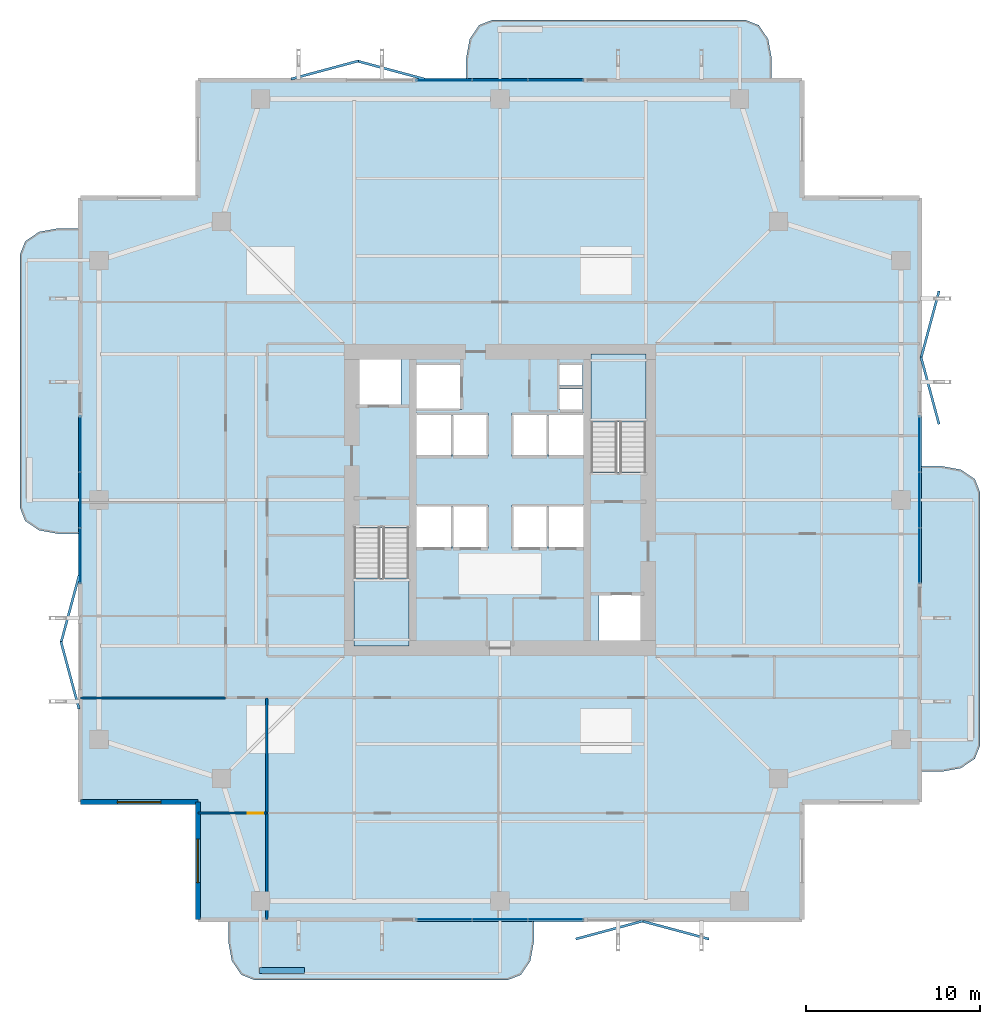
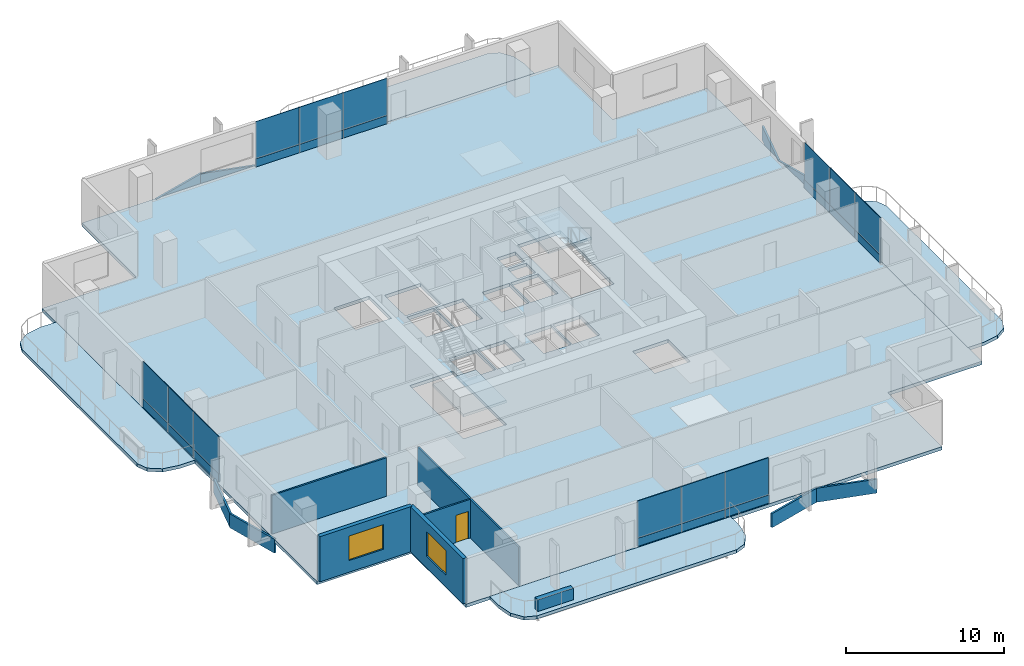
# One storey, part 18 of 25: 32 plates, 7 slabs, 6 walls, 2 windows, 1 door, 3 openings, 6 elements without a shape of their own.
"""IFC4 building model written with IfcOpenShell, lengths in metres."""

from ifc_helpers import new_model, si_unit, direction, frame, frame_2d, origin, origin_2d, place, context, subcontext, project, spatial, polyline, rectangle, outline, extrude, material, layer, layer_set, type_object, element, fill, aggregate, save


model = new_model("IFC4")

# Units and contexts
model_context = context("Model", 3, precision=1e-05, world=origin(), true_north=direction((0.0, 1.0)))
body_context = subcontext(model_context, "Body", "Model", "MODEL_VIEW")
ifc_project = project(units=[si_unit("LENGTHUNIT", "METRE"), si_unit("AREAUNIT", "SQUARE_METRE"), si_unit("VOLUMEUNIT", "CUBIC_METRE"), si_unit("PLANEANGLEUNIT", "RADIAN"), si_unit("MASSUNIT", "GRAM", prefix="KILO")], contexts=[model_context])

# Site, building, storey
site_placement = place(None, origin())
site = spatial("IfcSite", under=ifc_project, at=site_placement, CompositionType="ELEMENT")
building_placement = place(site_placement, origin())
building = spatial("IfcBuilding", under=site, at=building_placement, Name="Belovzor Exchange Tower", CompositionType="ELEMENT")
storey_placement = place(building_placement, frame((0.0, 0.0, 160.800048828125)))
storey = spatial("IfcBuildingStorey", under=building, at=storey_placement, Name="L39", CompositionType="ELEMENT", Elevation=160.800048828125)

# Slab
ifc_material_1 = material(Name="Concrete C40/50", Category="concrete")
ifc_layer_1 = layer(ifc_material_1, 0.2548828125)
ifc_layer_set_1 = layer_set([ifc_layer_1], Name="Concrete C40/50")
slab_type_1 = type_object("IfcSlabType", Name="Composite Waist Floor Deck Slab 255", PredefinedType="FLOOR", material=ifc_layer_set_1)
slab_1_placement = place(storey_placement, frame((0.0, 0.0, -0.255126953125)))
element("IfcSlab", 1, at=slab_1_placement, inside=storey, type_object=slab_type_1, Name="SL-F255 Structural Slab L39", PredefinedType="FLOOR", context=body_context, shape_type="SweptSolid", body=[
    extrude(outline(polyline([(11.39990234375, 4.5), (46.199951171875, 4.5), (46.199951171875, 11.39990234375), (53.10009765625, 11.39990234375), (53.10009765625, 46.199951171875), (46.199951171875, 46.199951171875), (46.199951171875, 53.10009765625), (11.39990234375, 53.10009765625), (11.39990234375, 46.199951171875), (4.5, 46.199951171875), (4.5, 11.39990234375), (11.39990234375, 11.39990234375), (11.39990234375, 4.5)]), holes=[polyline([(20.39990234375, 27.175048828125), (20.39990234375, 20.39990234375), (23.550048828125, 20.39990234375), (23.550048828125, 27.175048828125), (20.39990234375, 27.175048828125)]), polyline([(37.199951171875, 30.425048828125), (37.199951171875, 37.199951171875), (34.050048828125, 37.199951171875), (34.050048828125, 30.425048828125), (37.199951171875, 30.425048828125)]), polyline([(20.5, 34.199951171875), (23.10009765625, 34.199951171875), (23.10009765625, 37.0), (20.5, 37.0), (20.5, 34.199951171875)]), polyline([(34.5, 20.60009765625), (37.10009765625, 20.60009765625), (37.10009765625, 23.39990234375), (34.5, 23.39990234375), (34.5, 20.60009765625)]), polyline([(24.0, 34.0), (26.60009765625, 34.0), (26.60009765625, 36.60009765625), (24.0, 36.60009765625), (24.0, 34.0)]), polyline([(24.0, 26.0), (26.0, 26.0), (26.0, 28.5), (24.0, 28.5), (24.0, 26.0)]), polyline([(26.10009765625, 26.0), (28.10009765625, 26.0), (28.10009765625, 28.5), (26.10009765625, 28.5), (26.10009765625, 26.0)]), polyline([(29.5, 26.0), (31.5, 26.0), (31.5, 28.5), (29.5, 28.5), (29.5, 26.0)]), polyline([(31.60009765625, 26.0), (33.60009765625, 26.0), (33.60009765625, 28.5), (31.60009765625, 28.5), (31.60009765625, 26.0)]), polyline([(24.0, 31.300048828125), (26.0, 31.300048828125), (26.0, 33.800048828125), (24.0, 33.800048828125), (24.0, 31.300048828125)]), polyline([(26.10009765625, 31.300048828125), (28.10009765625, 31.300048828125), (28.10009765625, 33.800048828125), (26.10009765625, 33.800048828125), (26.10009765625, 31.300048828125)]), polyline([(29.5, 31.300048828125), (31.5, 31.300048828125), (31.5, 33.800048828125), (29.5, 33.800048828125), (29.5, 31.300048828125)]), polyline([(31.60009765625, 31.300048828125), (33.60009765625, 31.300048828125), (33.60009765625, 33.800048828125), (31.60009765625, 33.800048828125), (31.60009765625, 31.300048828125)]), polyline([(32.199951171875, 34.0), (33.550048828125, 34.0), (33.550048828125, 35.199951171875), (32.199951171875, 35.199951171875), (32.199951171875, 34.0)]), polyline([(32.199951171875, 35.39990234375), (33.550048828125, 35.39990234375), (33.550048828125, 36.60009765625), (32.199951171875, 36.60009765625), (32.199951171875, 35.39990234375)])]), origin(), (0.0, 0.0, 1.0), 0.255126953125),
])

# Curtain wall, plates
ifc_material_2 = material(Name="Anodised Aluminium Framing", Category="aluminium")
ifc_layer_2 = layer(ifc_material_2, 0.179931640625)
ifc_layer_set_2 = layer_set([ifc_layer_2], Name="Anodised Aluminium Framing")
curtain_wall_type = type_object("IfcCurtainWallType", Name="Recessed Loggia Low-Iron Triple-Glazed Curtain Wall", PredefinedType="NOTDEFINED", material=ifc_layer_set_2)
curtain_wall_1_placement = place(storey_placement, origin())
curtain_wall_1 = element("IfcCurtainWall", 2, at=curtain_wall_1_placement, inside=storey, type_object=curtain_wall_type, Name="CW3 Recessed Loggia Low-Iron Triple-Glazed Curtain Wall L39", PredefinedType="NOTDEFINED")
ifc_material_3 = material(Name="Solar-Control Triple Glazing", Category="glass")
ifc_layer_3 = layer(ifc_material_3, 0.0439453125)
ifc_layer_set_3 = layer_set([ifc_layer_3], Name="Solar-Control Triple Glazing")
plate_type_1 = type_object("IfcPlateType", Name="Insulated Solar Glazing Curtain Panel 44", PredefinedType="CURTAIN_PANEL", material=ifc_layer_set_3)
plate_1_placement = place(storey_placement, frame((32.0, 4.6298828125, 0.630859375), z_axis=(0.0, 0.0, 1.0), x_axis=(-1.0, 0.0, 0.0)))
plate_1 = element("IfcPlate", 3, at=plate_1_placement, type_object=plate_type_1, Name="GLZ-44 Glazed Curtain Panel 1", PredefinedType="CURTAIN_PANEL", context=body_context, shape_type="SweptSolid", body=[
    extrude(rectangle(XDim=3.18408203125, YDim=0.0439453125, at=origin_2d()), origin(), (0.0, 0.0, 1.0), 2.864013671875),
])
plate_2_placement = place(storey_placement, frame((28.800048828125, 4.6298828125, 0.630859375), z_axis=(0.0, 0.0, 1.0), x_axis=(-1.0, 0.0, 0.0)))
plate_2 = element("IfcPlate", 4, at=plate_2_placement, type_object=plate_type_1, Name="GLZ-44 Glazed Curtain Panel 2", PredefinedType="CURTAIN_PANEL", context=body_context, shape_type="SweptSolid", body=[
    extrude(rectangle(XDim=3.18408203125, YDim=0.0439453125, at=origin_2d()), origin(), (0.0, 0.0, 1.0), 2.864013671875),
])
plate_3_placement = place(storey_placement, frame((25.60009765625, 4.6298828125, 0.630859375), z_axis=(0.0, 0.0, 1.0), x_axis=(-1.0, 0.0, 0.0)))
plate_3 = element("IfcPlate", 5, at=plate_3_placement, type_object=plate_type_1, Name="GLZ-44 Glazed Curtain Panel 3", PredefinedType="CURTAIN_PANEL", context=body_context, shape_type="SweptSolid", body=[
    extrude(rectangle(XDim=3.18408203125, YDim=0.0439453125, at=origin_2d()), origin(), (0.0, 0.0, 1.0), 2.864013671875),
])

curtain_wall_2_placement = place(storey_placement, origin())
curtain_wall_2 = element("IfcCurtainWall", 6, at=curtain_wall_2_placement, inside=storey, type_object=curtain_wall_type, Name="CW3 Recessed Loggia Low-Iron Triple-Glazed Curtain Wall L39", PredefinedType="NOTDEFINED")
plate_4_placement = place(storey_placement, frame((25.60009765625, 52.969970703125, 0.630859375), z_axis=(0.0, 0.0, 1.0), x_axis=(1.0, 0.0, 0.0)))
plate_4 = element("IfcPlate", 7, at=plate_4_placement, type_object=plate_type_1, Name="GLZ-44 Glazed Curtain Panel 1", PredefinedType="CURTAIN_PANEL", context=body_context, shape_type="SweptSolid", body=[
    extrude(rectangle(XDim=3.18408203125, YDim=0.0439453125, at=origin_2d()), origin(), (0.0, 0.0, 1.0), 2.864013671875),
])
plate_5_placement = place(storey_placement, frame((28.800048828125, 52.969970703125, 0.630859375), z_axis=(0.0, 0.0, 1.0), x_axis=(1.0, 0.0, 0.0)))
plate_5 = element("IfcPlate", 8, at=plate_5_placement, type_object=plate_type_1, Name="GLZ-44 Glazed Curtain Panel 2", PredefinedType="CURTAIN_PANEL", context=body_context, shape_type="SweptSolid", body=[
    extrude(rectangle(XDim=3.18408203125, YDim=0.0439453125, at=origin_2d()), origin(), (0.0, 0.0, 1.0), 2.864013671875),
])
plate_6_placement = place(storey_placement, frame((32.0, 52.969970703125, 0.630859375), z_axis=(0.0, 0.0, 1.0), x_axis=(1.0, 0.0, 0.0)))
plate_6 = element("IfcPlate", 9, at=plate_6_placement, type_object=plate_type_1, Name="GLZ-44 Glazed Curtain Panel 3", PredefinedType="CURTAIN_PANEL", context=body_context, shape_type="SweptSolid", body=[
    extrude(rectangle(XDim=3.18408203125, YDim=0.0439453125, at=origin_2d()), origin(), (0.0, 0.0, 1.0), 2.864013671875),
])

curtain_wall_3_placement = place(storey_placement, origin())
curtain_wall_3 = element("IfcCurtainWall", 10, at=curtain_wall_3_placement, inside=storey, type_object=curtain_wall_type, Name="CW3 Recessed Loggia Low-Iron Triple-Glazed Curtain Wall L39", PredefinedType="NOTDEFINED")
plate_7_placement = place(storey_placement, frame((4.6298828125, 25.60009765625, 0.630859375), z_axis=(0.0, 0.0, 1.0), x_axis=(0.0, 1.0, 0.0)))
plate_7 = element("IfcPlate", 11, at=plate_7_placement, type_object=plate_type_1, Name="GLZ-44 Glazed Curtain Panel 1", PredefinedType="CURTAIN_PANEL", context=body_context, shape_type="SweptSolid", body=[
    extrude(rectangle(XDim=3.18408203125, YDim=0.0439453125, at=origin_2d()), origin(), (0.0, 0.0, 1.0), 2.864013671875),
])
plate_8_placement = place(storey_placement, frame((4.6298828125, 28.800048828125, 0.630859375), z_axis=(0.0, 0.0, 1.0), x_axis=(0.0, 1.0, 0.0)))
plate_8 = element("IfcPlate", 12, at=plate_8_placement, type_object=plate_type_1, Name="GLZ-44 Glazed Curtain Panel 2", PredefinedType="CURTAIN_PANEL", context=body_context, shape_type="SweptSolid", body=[
    extrude(rectangle(XDim=3.18408203125, YDim=0.0439453125, at=origin_2d()), origin(), (0.0, 0.0, 1.0), 2.864013671875),
])
plate_9_placement = place(storey_placement, frame((4.6298828125, 32.0, 0.630859375), z_axis=(0.0, 0.0, 1.0), x_axis=(0.0, 1.0, 0.0)))
plate_9 = element("IfcPlate", 13, at=plate_9_placement, type_object=plate_type_1, Name="GLZ-44 Glazed Curtain Panel 3", PredefinedType="CURTAIN_PANEL", context=body_context, shape_type="SweptSolid", body=[
    extrude(rectangle(XDim=3.18408203125, YDim=0.0439453125, at=origin_2d()), origin(), (0.0, 0.0, 1.0), 2.864013671875),
])

curtain_wall_4_placement = place(storey_placement, origin())
curtain_wall_4 = element("IfcCurtainWall", 14, at=curtain_wall_4_placement, inside=storey, type_object=curtain_wall_type, Name="CW3 Recessed Loggia Low-Iron Triple-Glazed Curtain Wall L39", PredefinedType="NOTDEFINED")
plate_10_placement = place(storey_placement, frame((52.969970703125, 32.0, 0.630859375), z_axis=(0.0, 0.0, 1.0), x_axis=(0.0, -1.0, 0.0)))
plate_10 = element("IfcPlate", 15, at=plate_10_placement, type_object=plate_type_1, Name="GLZ-44 Glazed Curtain Panel 1", PredefinedType="CURTAIN_PANEL", context=body_context, shape_type="SweptSolid", body=[
    extrude(rectangle(XDim=3.18408203125, YDim=0.0439453125, at=origin_2d()), origin(), (0.0, 0.0, 1.0), 2.864013671875),
])
plate_11_placement = place(storey_placement, frame((52.969970703125, 28.800048828125, 0.630859375), z_axis=(0.0, 0.0, 1.0), x_axis=(0.0, -1.0, 0.0)))
plate_11 = element("IfcPlate", 16, at=plate_11_placement, type_object=plate_type_1, Name="GLZ-44 Glazed Curtain Panel 2", PredefinedType="CURTAIN_PANEL", context=body_context, shape_type="SweptSolid", body=[
    extrude(rectangle(XDim=3.18408203125, YDim=0.0439453125, at=origin_2d()), origin(), (0.0, 0.0, 1.0), 2.864013671875),
])
plate_12_placement = place(storey_placement, frame((52.969970703125, 25.60009765625, 0.630859375), z_axis=(0.0, 0.0, 1.0), x_axis=(0.0, -1.0, 0.0)))
plate_12 = element("IfcPlate", 17, at=plate_12_placement, type_object=plate_type_1, Name="GLZ-44 Glazed Curtain Panel 3", PredefinedType="CURTAIN_PANEL", context=body_context, shape_type="SweptSolid", body=[
    extrude(rectangle(XDim=3.18408203125, YDim=0.0439453125, at=origin_2d()), origin(), (0.0, 0.0, 1.0), 2.864013671875),
])

# Plates
ifc_material_4 = material(Name="Extruded Architectural Terracotta", Category="masonry")
ifc_layer_4 = layer(ifc_material_4, 0.139892578125)
ifc_layer_set_4 = layer_set([ifc_layer_4], Name="Extruded Architectural Terracotta")
plate_type_2 = type_object("IfcPlateType", Name="Mid-Tower Folded Zigzag Terracotta Spandrel Louvre 120", PredefinedType="USERDEFINED", material=ifc_layer_set_4)
for number, where, z_axis, x_axis, name in (
    (18, (18.699951171875, 53.570068359375, -1.065185546875), (0.0, 0.0, 1.0), (0.965812803231, 0.259240485101, 0.0), "LVR-ZZ2 Zigzag Terracotta Spandrel Louvre L39 N1A"),
    (19, (22.5, 53.570068359375, -1.065185546875), (0.0, 0.0, 1.0), (0.965812803231, -0.259240485101, 0.0), "LVR-ZZ2 Zigzag Terracotta Spandrel Louvre L39 N1B"),
    (20, (4.030029296875, 18.699951171875, -1.065185546875), (0.0, 0.0, 1.0), (-0.259240485101, 0.965812803231, 0.0), "LVR-ZZ2 Zigzag Terracotta Spandrel Louvre L39 W1A"),
    (21, (4.030029296875, 22.5, -1.065185546875), (0.0, 0.0, 1.0), (0.259240485101, 0.965812803231, 0.0), "LVR-ZZ2 Zigzag Terracotta Spandrel Louvre L39 W1B"),
    (22, (35.10009765625, 4.030029296875, -1.065185546875), (0.0, 0.0, 1.0), (0.965812803231, 0.259240485101, 0.0), "LVR-ZZ2 Zigzag Terracotta Spandrel Louvre L39 S2A"),
    (23, (38.89990234375, 4.030029296875, -1.065185546875), (0.0, 0.0, 1.0), (0.965812803231, -0.259240485101, 0.0), "LVR-ZZ2 Zigzag Terracotta Spandrel Louvre L39 S2B"),
    (24, (53.570068359375, 35.10009765625, -1.065185546875), (0.0, 0.0, 1.0), (-0.259240485101, 0.965812803231, 0.0), "LVR-ZZ2 Zigzag Terracotta Spandrel Louvre L39 E2A"),
    (25, (53.570068359375, 38.89990234375, -1.065185546875), (0.0, 0.0, 1.0), (0.259240485101, 0.965812803231, 0.0), "LVR-ZZ2 Zigzag Terracotta Spandrel Louvre L39 E2B"),
):
    element("IfcPlate", number, at=place(storey_placement, frame(where, z_axis=z_axis, x_axis=x_axis)), inside=storey, type_object=plate_type_2, Name=name, ObjectType="SPANDREL_LOUVRE", PredefinedType="USERDEFINED", context=body_context, shape_type="SweptSolid", body=[
        extrude(rectangle(XDim=4.014892578125, YDim=0.139892578125, at=origin_2d()), origin(), (0.0, 0.0, 1.0), 1.080078125),
    ])

# Stair, slab
ifc_material_5 = material(Name="Concrete C40/50", Category="concrete")
stair_type = type_object("IfcStairType", Name="Reinforced Concrete Dogleg Escape Stair 1350", PredefinedType="HALF_TURN_STAIR", material=ifc_material_5)
stair_1_placement = place(storey_placement, origin())
stair_1 = element("IfcStair", 26, at=stair_1_placement, inside=storey, type_object=stair_type, Name="L39 ST-1", PredefinedType="HALF_TURN_STAIR")
ifc_material_6 = material(Name="Concrete C40/50", Category="concrete")
ifc_layer_5 = layer(ifc_material_6, 0.199951171875)
ifc_layer_set_5 = layer_set([ifc_layer_5], Name="Concrete C40/50")
slab_type_2 = type_object("IfcSlabType", Name="Reinforced Concrete Stair Half-Landing Slab 200", PredefinedType="LANDING", material=ifc_layer_set_5)
slab_2_placement = place(storey_placement, frame((0.0, 0.0, 1.675048828125)))
slab_2 = element("IfcSlab", 27, at=slab_2_placement, type_object=slab_type_2, Name="ST-1 landing 1", PredefinedType="LANDING", context=body_context, shape_type="SweptSolid", body=[
    extrude(outline(polyline([(20.39990234375, 24.300048828125), (20.39990234375, 20.39990234375), (23.550048828125, 20.39990234375), (23.550048828125, 24.300048828125), (20.39990234375, 24.300048828125)])), origin(), (0.0, 0.0, 1.0), 0.199951171875),
])
aggregate(stair_1, [slab_2])

stair_2_placement = place(storey_placement, origin())
stair_2 = element("IfcStair", 28, at=stair_2_placement, inside=storey, type_object=stair_type, Name="L39 ST-2", PredefinedType="HALF_TURN_STAIR")
slab_3_placement = place(storey_placement, frame((0.0, 0.0, 1.675048828125)))
slab_3 = element("IfcSlab", 29, at=slab_3_placement, type_object=slab_type_2, Name="ST-2 landing 1", PredefinedType="LANDING", context=body_context, shape_type="SweptSolid", body=[
    extrude(outline(polyline([(37.199951171875, 33.300048828125), (37.199951171875, 37.199951171875), (34.050048828125, 37.199951171875), (34.050048828125, 33.300048828125), (37.199951171875, 33.300048828125)])), origin(), (0.0, 0.0, 1.0), 0.199951171875),
])
aggregate(stair_2, [slab_3])

# Plate
ifc_material_7 = material(Name="Extruded Architectural Terracotta", Category="masonry")
ifc_layer_6 = layer(ifc_material_7, 0.090087890625)
ifc_layer_set_6 = layer_set([ifc_layer_6], Name="Extruded Architectural Terracotta")
plate_type_3 = type_object("IfcPlateType", Name="Terracotta Shadow-Box Spandrel Panel 90", PredefinedType="CURTAIN_PANEL", material=ifc_layer_set_6)
plate_13_placement = place(storey_placement, frame((32.0, 4.6298828125, 0.00048828125), z_axis=(0.0, 0.0, 1.0), x_axis=(-1.0, 0.0, 0.0)))
plate_13 = element("IfcPlate", 30, at=plate_13_placement, type_object=plate_type_3, Name="SPD-90 Spandrel Panel 1", PredefinedType="CURTAIN_PANEL", context=body_context, shape_type="SweptSolid", body=[
    extrude(rectangle(XDim=3.18408203125, YDim=0.090087890625, at=origin_2d()), origin(), (0.0, 0.0, 1.0), 0.626953125),
])

plate_14_placement = place(storey_placement, frame((28.800048828125, 4.6298828125, 0.00048828125), z_axis=(0.0, 0.0, 1.0), x_axis=(-1.0, 0.0, 0.0)))
plate_14 = element("IfcPlate", 31, at=plate_14_placement, type_object=plate_type_3, Name="SPD-90 Spandrel Panel 2", PredefinedType="CURTAIN_PANEL", context=body_context, shape_type="SweptSolid", body=[
    extrude(rectangle(XDim=3.18408203125, YDim=0.090087890625, at=origin_2d()), origin(), (0.0, 0.0, 1.0), 0.626953125),
])

plate_15_placement = place(storey_placement, frame((25.60009765625, 4.6298828125, 0.00048828125), z_axis=(0.0, 0.0, 1.0), x_axis=(-1.0, 0.0, 0.0)))
plate_15 = element("IfcPlate", 32, at=plate_15_placement, type_object=plate_type_3, Name="SPD-90 Spandrel Panel 3", PredefinedType="CURTAIN_PANEL", context=body_context, shape_type="SweptSolid", body=[
    extrude(rectangle(XDim=3.18408203125, YDim=0.090087890625, at=origin_2d()), origin(), (0.0, 0.0, 1.0), 0.626953125),
])

aggregate(curtain_wall_1, [plate_13, plate_1, plate_14, plate_2, plate_15, plate_3])

plate_16_placement = place(storey_placement, frame((25.60009765625, 52.969970703125, 0.00048828125), z_axis=(0.0, 0.0, 1.0), x_axis=(1.0, 0.0, 0.0)))
plate_16 = element("IfcPlate", 33, at=plate_16_placement, type_object=plate_type_3, Name="SPD-90 Spandrel Panel 1", PredefinedType="CURTAIN_PANEL", context=body_context, shape_type="SweptSolid", body=[
    extrude(rectangle(XDim=3.18408203125, YDim=0.090087890625, at=origin_2d()), origin(), (0.0, 0.0, 1.0), 0.626953125),
])

plate_17_placement = place(storey_placement, frame((28.800048828125, 52.969970703125, 0.00048828125), z_axis=(0.0, 0.0, 1.0), x_axis=(1.0, 0.0, 0.0)))
plate_17 = element("IfcPlate", 34, at=plate_17_placement, type_object=plate_type_3, Name="SPD-90 Spandrel Panel 2", PredefinedType="CURTAIN_PANEL", context=body_context, shape_type="SweptSolid", body=[
    extrude(rectangle(XDim=3.18408203125, YDim=0.090087890625, at=origin_2d()), origin(), (0.0, 0.0, 1.0), 0.626953125),
])

plate_18_placement = place(storey_placement, frame((32.0, 52.969970703125, 0.00048828125), z_axis=(0.0, 0.0, 1.0), x_axis=(1.0, 0.0, 0.0)))
plate_18 = element("IfcPlate", 35, at=plate_18_placement, type_object=plate_type_3, Name="SPD-90 Spandrel Panel 3", PredefinedType="CURTAIN_PANEL", context=body_context, shape_type="SweptSolid", body=[
    extrude(rectangle(XDim=3.18408203125, YDim=0.090087890625, at=origin_2d()), origin(), (0.0, 0.0, 1.0), 0.626953125),
])

aggregate(curtain_wall_2, [plate_16, plate_4, plate_17, plate_5, plate_18, plate_6])

plate_19_placement = place(storey_placement, frame((4.6298828125, 25.60009765625, 0.00048828125), z_axis=(0.0, 0.0, 1.0), x_axis=(0.0, 1.0, 0.0)))
plate_19 = element("IfcPlate", 36, at=plate_19_placement, type_object=plate_type_3, Name="SPD-90 Spandrel Panel 1", PredefinedType="CURTAIN_PANEL", context=body_context, shape_type="SweptSolid", body=[
    extrude(rectangle(XDim=3.18408203125, YDim=0.090087890625, at=origin_2d()), origin(), (0.0, 0.0, 1.0), 0.626953125),
])

plate_20_placement = place(storey_placement, frame((4.6298828125, 28.800048828125, 0.00048828125), z_axis=(0.0, 0.0, 1.0), x_axis=(0.0, 1.0, 0.0)))
plate_20 = element("IfcPlate", 37, at=plate_20_placement, type_object=plate_type_3, Name="SPD-90 Spandrel Panel 2", PredefinedType="CURTAIN_PANEL", context=body_context, shape_type="SweptSolid", body=[
    extrude(rectangle(XDim=3.18408203125, YDim=0.090087890625, at=origin_2d()), origin(), (0.0, 0.0, 1.0), 0.626953125),
])

plate_21_placement = place(storey_placement, frame((4.6298828125, 32.0, 0.00048828125), z_axis=(0.0, 0.0, 1.0), x_axis=(0.0, 1.0, 0.0)))
plate_21 = element("IfcPlate", 38, at=plate_21_placement, type_object=plate_type_3, Name="SPD-90 Spandrel Panel 3", PredefinedType="CURTAIN_PANEL", context=body_context, shape_type="SweptSolid", body=[
    extrude(rectangle(XDim=3.18408203125, YDim=0.090087890625, at=origin_2d()), origin(), (0.0, 0.0, 1.0), 0.626953125),
])

aggregate(curtain_wall_3, [plate_19, plate_7, plate_20, plate_8, plate_21, plate_9])

plate_22_placement = place(storey_placement, frame((52.969970703125, 32.0, 0.00048828125), z_axis=(0.0, 0.0, 1.0), x_axis=(0.0, -1.0, 0.0)))
plate_22 = element("IfcPlate", 39, at=plate_22_placement, type_object=plate_type_3, Name="SPD-90 Spandrel Panel 1", PredefinedType="CURTAIN_PANEL", context=body_context, shape_type="SweptSolid", body=[
    extrude(rectangle(XDim=3.18408203125, YDim=0.090087890625, at=origin_2d()), origin(), (0.0, 0.0, 1.0), 0.626953125),
])

plate_23_placement = place(storey_placement, frame((52.969970703125, 28.800048828125, 0.00048828125), z_axis=(0.0, 0.0, 1.0), x_axis=(0.0, -1.0, 0.0)))
plate_23 = element("IfcPlate", 40, at=plate_23_placement, type_object=plate_type_3, Name="SPD-90 Spandrel Panel 2", PredefinedType="CURTAIN_PANEL", context=body_context, shape_type="SweptSolid", body=[
    extrude(rectangle(XDim=3.18408203125, YDim=0.090087890625, at=origin_2d()), origin(), (0.0, 0.0, 1.0), 0.626953125),
])

plate_24_placement = place(storey_placement, frame((52.969970703125, 25.60009765625, 0.00048828125), z_axis=(0.0, 0.0, 1.0), x_axis=(0.0, -1.0, 0.0)))
plate_24 = element("IfcPlate", 41, at=plate_24_placement, type_object=plate_type_3, Name="SPD-90 Spandrel Panel 3", PredefinedType="CURTAIN_PANEL", context=body_context, shape_type="SweptSolid", body=[
    extrude(rectangle(XDim=3.18408203125, YDim=0.090087890625, at=origin_2d()), origin(), (0.0, 0.0, 1.0), 0.626953125),
])

aggregate(curtain_wall_4, [plate_22, plate_10, plate_23, plate_11, plate_24, plate_12])

# Slabs
ifc_material_8 = material(Name="Concrete C40/50", Category="concrete")
ifc_layer_7 = layer(ifc_material_8, 0.25)
ifc_layer_set_7 = layer_set([ifc_layer_7], Name="Concrete C40/50")
slab_type_3 = type_object("IfcSlabType", Name="Thermally Broken Planted Balcony Slab 250", PredefinedType="FLOOR", material=ifc_layer_set_7)
slab_4_placement = place(storey_placement, frame((0.0, 0.0, -0.25)))
element("IfcSlab", 42, at=slab_4_placement, inside=storey, type_object=slab_type_3, Name="SL-BAL220 Planted Balcony Loggia L39 South", PredefinedType="FLOOR", context=body_context, shape_type="SweptSolid", body=[
    extrude(outline(polyline([(13.14990234375, 4.514892578125), (13.14990234375, 3.35009765625), (13.35107421875, 2.25), (13.89990234375, 1.445068359375), (14.64990234375, 1.14990234375), (29.25, 1.14990234375), (30.0, 1.445068359375), (30.549072265625, 2.25), (30.75, 3.35009765625), (30.75, 4.514892578125), (13.14990234375, 4.514892578125)])), origin(), (0.0, 0.0, 1.0), 0.25),
])
slab_5_placement = place(storey_placement, frame((0.0, 0.0, -0.25)))
element("IfcSlab", 43, at=slab_5_placement, inside=storey, type_object=slab_type_3, Name="SL-BAL220 Planted Balcony Loggia L39 North", PredefinedType="FLOOR", context=body_context, shape_type="SweptSolid", body=[
    extrude(outline(polyline([(44.449951171875, 53.0849609375), (44.449951171875, 54.25), (44.2490234375, 55.35009765625), (43.699951171875, 56.155029296875), (42.949951171875, 56.449951171875), (28.35009765625, 56.449951171875), (27.60009765625, 56.155029296875), (27.051025390625, 55.35009765625), (26.85009765625, 54.25), (26.85009765625, 53.0849609375), (44.449951171875, 53.0849609375)])), origin(), (0.0, 0.0, 1.0), 0.25),
])
slab_6_placement = place(storey_placement, frame((0.0, 0.0, -0.25)))
element("IfcSlab", 44, at=slab_6_placement, inside=storey, type_object=slab_type_3, Name="SL-BAL220 Planted Balcony Loggia L39 East", PredefinedType="FLOOR", context=body_context, shape_type="SweptSolid", body=[
    extrude(outline(polyline([(53.0849609375, 13.14990234375), (54.25, 13.14990234375), (55.35009765625, 13.35107421875), (56.155029296875, 13.89990234375), (56.449951171875, 14.64990234375), (56.449951171875, 29.25), (56.155029296875, 30.0), (55.35009765625, 30.549072265625), (54.25, 30.75), (53.0849609375, 30.75), (53.0849609375, 13.14990234375)])), origin(), (0.0, 0.0, 1.0), 0.25),
])
slab_7_placement = place(storey_placement, frame((0.0, 0.0, -0.25)))
element("IfcSlab", 45, at=slab_7_placement, inside=storey, type_object=slab_type_3, Name="SL-BAL220 Planted Balcony Loggia L39 West", PredefinedType="FLOOR", context=body_context, shape_type="SweptSolid", body=[
    extrude(outline(polyline([(4.514892578125, 44.449951171875), (3.35009765625, 44.449951171875), (2.25, 44.2490234375), (1.445068359375, 43.699951171875), (1.14990234375, 42.949951171875), (1.14990234375, 28.35009765625), (1.445068359375, 27.60009765625), (2.25, 27.051025390625), (3.35009765625, 26.85009765625), (4.514892578125, 26.85009765625), (4.514892578125, 44.449951171875)])), origin(), (0.0, 0.0, 1.0), 0.25),
])

# Wall, opening, door
ifc_material_9 = material(Name="Acoustic Plasterboard on Galvanised Studs", Category="gypsum")
ifc_layer_8 = layer(ifc_material_9, 0.1201171875)
ifc_layer_set_8 = layer_set([ifc_layer_8], Name="Acoustic Plasterboard on Galvanised Studs")
wall_type_1 = type_object("IfcWallType", Name="Acoustic Double-Stud Partition Wall 120", PredefinedType="PARTITIONING", material=ifc_layer_set_8)
wall_1_placement = place(storey_placement, frame((11.39990234375, 10.76611328125, 0.0), z_axis=(0.0, 0.0, 1.0), x_axis=(1.0, 0.0, 0.0)))
wall_1 = element("IfcWall", 46, at=wall_1_placement, inside=storey, type_object=wall_type_1, Name="W-P120 Partition Wall W-L39-SHDIV-0", PredefinedType="PARTITIONING", context=body_context, shape_type="SweptSolid", body=[
    extrude(rectangle(XDim=3.965087890625, YDim=0.1201171875, at=frame_2d((1.982421875, 0.0))), origin(), (0.0, 0.0, 1.0), 2.97998046875),
])
opening_1_placement = place(wall_1_placement, frame((2.864990234375, 0.0, 0.0)))
opening_1 = element("IfcOpeningElement", 47, at=opening_1_placement, cuts=wall_1, Name="Opening D-INT-090", PredefinedType="OPENING", context=body_context, shape_type="SweptSolid", body=[
    extrude(rectangle(XDim=0.89990234375, YDim=2.10009765625, at=frame_2d((0.449951171875, 1.050048828125))), frame((0.0, 0.070068359375, 0.0), z_axis=(0.0, -1.0, 0.0), x_axis=(1.0, 0.0, 0.0)), (0.0, 0.0, 1.0), 0.14013671875),
])
ifc_material_10 = material(Name="Veneered Hardwood Acoustic Leaf", Category="wood")
door_type = type_object("IfcDoorType", Name="Trading Suite Acoustic Single Door 900x2100", OperationType="NOTDEFINED", PredefinedType="DOOR", material=ifc_material_10)
door_placement = place(opening_1_placement, origin())
door = element("IfcDoor", 48, at=door_placement, inside=storey, type_object=door_type, Name="D-INT-090 Trading Suite Acoustic Single Door 900x2100", OperationType="SINGLE_SWING_LEFT", OverallHeight=2.10009765625, OverallWidth=0.89990234375, PredefinedType="DOOR", context=body_context, shape_type="SweptSolid", body=[
    extrude(rectangle(XDim=0.89990234375, YDim=2.10009765625, at=frame_2d((0.449951171875, 1.050048828125))), frame((0.0, 0.02490234375, 0.0), z_axis=(0.0, -1.0, 0.0), x_axis=(1.0, 0.0, 0.0)), (0.0, 0.0, 1.0), 0.050048828125),
])
fill(opening_1, door)

# Walls
wall_2_placement = place(storey_placement, frame((15.364990234375, 4.6298828125, 0.0), z_axis=(0.0, 0.0, 1.0), x_axis=(0.0, 1.0, 0.0)))
element("IfcWall", 49, at=wall_2_placement, inside=storey, type_object=wall_type_1, Name="W-P120 Partition Wall W-L39-SDIV-1", PredefinedType="PARTITIONING", context=body_context, shape_type="SweptSolid", body=[
    extrude(rectangle(XDim=12.77001953125, YDim=0.1201171875, at=frame_2d((6.385009765625, 0.0))), origin(), (0.0, 0.0, 1.0), 2.97998046875),
])
wall_3_placement = place(storey_placement, frame((4.6298828125, 17.39990234375, 0.0), z_axis=(0.0, 0.0, 1.0), x_axis=(1.0, 0.0, 0.0)))
element("IfcWall", 50, at=wall_3_placement, inside=storey, type_object=wall_type_1, Name="W-P120 Partition Wall W-L39-END-SW", PredefinedType="PARTITIONING", context=body_context, shape_type="SweptSolid", body=[
    extrude(rectangle(XDim=8.3701171875, YDim=0.1201171875, at=frame_2d((4.18505859375, 0.0))), origin(), (0.0, 0.0, 1.0), 2.97998046875),
])

# Wall, opening, window
ifc_material_11 = material(Name="Precast concrete C40/50", Category="concrete")
ifc_layer_9 = layer(ifc_material_11, 0.280029296875)
ifc_layer_set_9 = layer_set([ifc_layer_9], Name="Precast concrete C40/50")
wall_type_2 = type_object("IfcWallType", Name="Precast Concrete Notched Corner Frame Wall 280", PredefinedType="SOLIDWALL", material=ifc_layer_set_9)
wall_4_placement = place(storey_placement, frame((11.39990234375, 4.6298828125, 0.0), z_axis=(0.0, 0.0, 1.0), x_axis=(0.0, 1.0, 0.0)))
wall_4 = element("IfcWall", 51, at=wall_4_placement, inside=storey, type_object=wall_type_2, Name="W-CRN280 Precast Concrete Notched Corner Frame Wall 280 L39", PredefinedType="SOLIDWALL", context=body_context, shape_type="SweptSolid", body=[
    extrude(rectangle(XDim=6.77001953125, YDim=0.280029296875, at=frame_2d((3.385009765625, 0.0))), origin(), (0.0, 0.0, 1.0), 3.494873046875),
])
opening_2_placement = place(wall_4_placement, frame((2.135009765625, 0.0, 0.89990234375)))
opening_2 = element("IfcOpeningElement", 52, at=opening_2_placement, cuts=wall_4, Name="Opening WN-CRN250", PredefinedType="OPENING", context=body_context, shape_type="SweptSolid", body=[
    extrude(rectangle(XDim=2.5, YDim=1.89990234375, at=frame_2d((1.25, 0.949951171875))), frame((0.0, 0.14990234375, 0.0), z_axis=(0.0, -1.0, 0.0), x_axis=(1.0, 0.0, 0.0)), (0.0, 0.0, 1.0), 0.300048828125),
])
ifc_material_12 = material(Name="Thermally Broken Aluminium and Triple Glazing", Category="aluminium")
window_type = type_object("IfcWindowType", Name="Streamline Moderne Corner Wrap Ribbon Window 2500x1900", PartitioningType="SINGLE_PANEL", PredefinedType="WINDOW", material=ifc_material_12)
window_1_placement = place(opening_2_placement, origin())
window_1 = element("IfcWindow", 53, at=window_1_placement, inside=storey, type_object=window_type, Name="WN-CRN250 Streamline Moderne Corner Wrap Ribbon Window 2500x1900", OverallHeight=1.89990234375, OverallWidth=2.5, PartitioningType="SINGLE_PANEL", PredefinedType="WINDOW", context=body_context, shape_type="SweptSolid", body=[
    extrude(rectangle(XDim=2.5, YDim=1.89990234375, at=frame_2d((1.25, 0.949951171875))), frame((0.0, 0.030029296875, 0.0), z_axis=(0.0, -1.0, 0.0), x_axis=(1.0, 0.0, 0.0)), (0.0, 0.0, 1.0), 0.06005859375),
])
fill(opening_2, window_1)

wall_5_placement = place(storey_placement, frame((11.39990234375, 11.39990234375, 0.0), z_axis=(0.0, 0.0, 1.0), x_axis=(-1.0, 0.0, 0.0)))
wall_5 = element("IfcWall", 54, at=wall_5_placement, inside=storey, type_object=wall_type_2, Name="W-CRN280 Precast Concrete Notched Corner Frame Wall 280 L39", PredefinedType="SOLIDWALL", context=body_context, shape_type="SweptSolid", body=[
    extrude(rectangle(XDim=6.77001953125, YDim=0.280029296875, at=frame_2d((3.385009765625, 0.0))), origin(), (0.0, 0.0, 1.0), 3.494873046875),
])
opening_3_placement = place(wall_5_placement, frame((2.135009765625, 0.0, 0.89990234375)))
opening_3 = element("IfcOpeningElement", 55, at=opening_3_placement, cuts=wall_5, Name="Opening WN-CRN250", PredefinedType="OPENING", context=body_context, shape_type="SweptSolid", body=[
    extrude(rectangle(XDim=2.5, YDim=1.89990234375, at=frame_2d((1.25, 0.949951171875))), frame((0.0, 0.14990234375, 0.0), z_axis=(0.0, -1.0, 0.0), x_axis=(1.0, 0.0, 0.0)), (0.0, 0.0, 1.0), 0.300048828125),
])
window_2_placement = place(opening_3_placement, origin())
window_2 = element("IfcWindow", 56, at=window_2_placement, inside=storey, type_object=window_type, Name="WN-CRN250 Streamline Moderne Corner Wrap Ribbon Window 2500x1900", OverallHeight=1.89990234375, OverallWidth=2.5, PartitioningType="SINGLE_PANEL", PredefinedType="WINDOW", context=body_context, shape_type="SweptSolid", body=[
    extrude(rectangle(XDim=2.5, YDim=1.89990234375, at=frame_2d((1.25, 0.949951171875))), frame((0.0, 0.030029296875, 0.0), z_axis=(0.0, -1.0, 0.0), x_axis=(1.0, 0.0, 0.0)), (0.0, 0.0, 1.0), 0.06005859375),
])
fill(opening_3, window_2)

# Wall
ifc_material_13 = material(Name="Precast concrete C40/50", Category="concrete")
ifc_layer_10 = layer(ifc_material_13, 0.35009765625)
ifc_layer_set_10 = layer_set([ifc_layer_10], Name="Precast concrete C40/50")
wall_type_3 = type_object("IfcWallType", Name="Precast Concrete Structural Tree Planter Trough 350", PredefinedType="PARAPET", material=ifc_layer_set_10)
wall_6_placement = place(storey_placement, frame((14.949951171875, 1.699951171875, 0.0), z_axis=(0.0, 0.0, 1.0), x_axis=(1.0, 0.0, 0.0)))
element("IfcWall", 57, at=wall_6_placement, inside=storey, type_object=wall_type_3, Name="PT-350 Precast Concrete Structural Tree Planter Trough 350 L39", PredefinedType="PARAPET", context=body_context, shape_type="SweptSolid", body=[
    extrude(rectangle(XDim=2.60009765625, YDim=0.35009765625, at=frame_2d((1.300048828125, 0.0))), origin(), (0.0, 0.0, 1.0), 0.89990234375),
])

save(model, "model.ifc")
